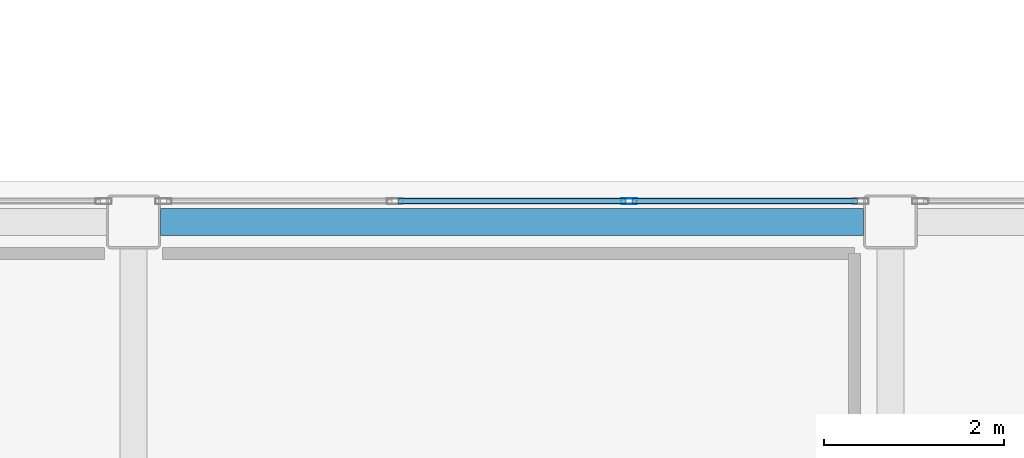
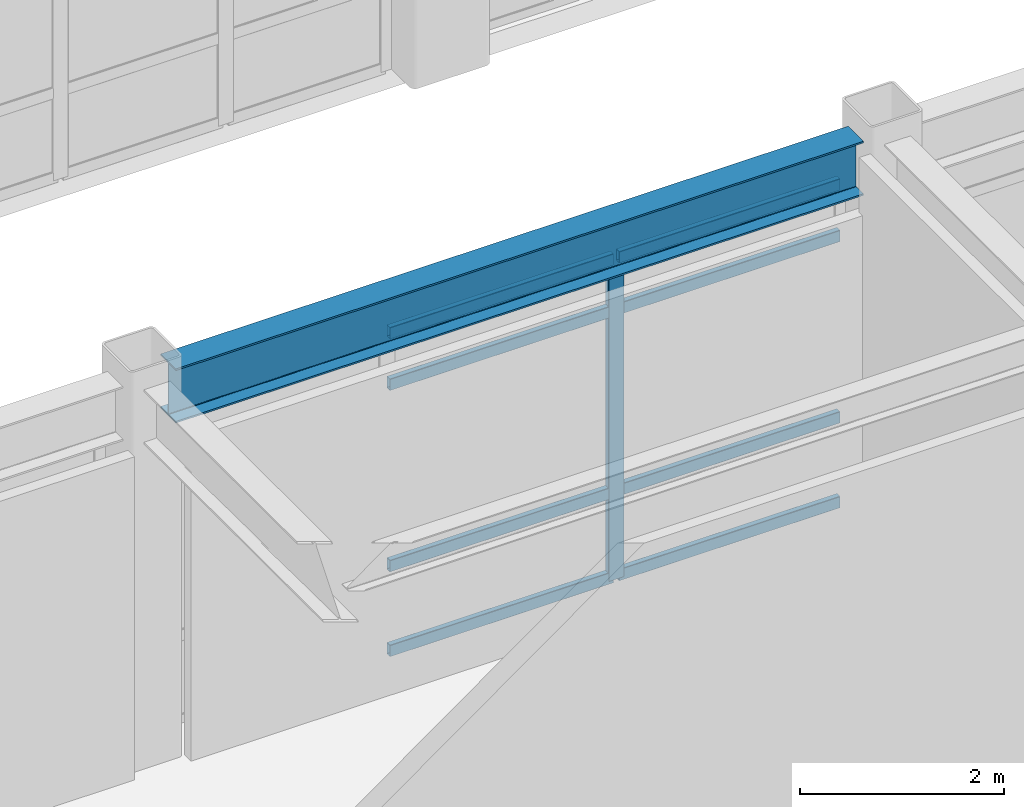
# One storey, part 32 of 172: 9 members, 1 beam, 1 element without a shape of its own.
"""IFC4 building model written with IfcOpenShell, lengths in metres."""

from ifc_helpers import new_model, si_unit, direction, frame, origin, origin_2d, place, context, subcontext, project, spatial, hollow_rectangle, i_section, extrude, material, layer, layer_set, material_profile, profile_set, type_object, element, aggregate, save


model = new_model("IFC4")

# Units and contexts
model_context = context("Model", 3, precision=1e-05, world=origin(), true_north=direction((0.0, 1.0)))
body_context = subcontext(model_context, "Body", "Model", "MODEL_VIEW")
ifc_project = project(units=[si_unit("LENGTHUNIT", "METRE"), si_unit("AREAUNIT", "SQUARE_METRE"), si_unit("VOLUMEUNIT", "CUBIC_METRE"), si_unit("PLANEANGLEUNIT", "RADIAN"), si_unit("MASSUNIT", "GRAM", prefix="KILO")], contexts=[model_context])

# Site, building, storey
site_placement = place(None, origin())
site = spatial("IfcSite", under=ifc_project, at=site_placement, CompositionType="ELEMENT")
building_placement = place(site_placement, origin())
building = spatial("IfcBuilding", under=site, at=building_placement, Name="Kazehara Bluff Congress Hotel", CompositionType="ELEMENT")
storey_placement = place(building_placement, frame((0.0, 0.0, 5.39990234375)))
storey = spatial("IfcBuildingStorey", under=building, at=storey_placement, Name="L01", CompositionType="ELEMENT", Elevation=5.39990234375)

# Curtain wall, members
ifc_material_1 = material(Name="Anodised aluminium", Category="aluminium")
ifc_layer = layer(ifc_material_1, 0.159912109375)
ifc_layer_set = layer_set([ifc_layer], Name="Anodised aluminium")
curtain_wall_type = type_object("IfcCurtainWallType", Name="TP-CW-29", PredefinedType="NOTDEFINED", material=ifc_layer_set)
curtain_wall_placement = place(storey_placement, origin())
curtain_wall = element("IfcCurtainWall", 1, at=curtain_wall_placement, inside=storey, type_object=curtain_wall_type, Name="L01 curtain wall CW-29 CW-ENC-V2-L01-4620-3978", PredefinedType="NOTDEFINED")
ifc_material_2 = material(Name="Anodised aluminium", Category="aluminium")
ifc_material_profile_1 = material_profile(ifc_material_2, hollow_rectangle(XDim=0.06494140625, YDim=0.179931640625, WallThickness=0.00390625, InnerFilletRadius=0.00390625, OuterFilletRadius=0.008056640625, at=origin_2d()))
ifc_profile_set_1 = profile_set([ifc_material_profile_1], Name="Anodised aluminium")
member_type_1 = type_object("IfcMemberType", Name="TP-CWM-02", PredefinedType="MULLION", material=ifc_profile_set_1)
member_1_placement = place(storey_placement, frame((47.5, 39.780029296875, 0.0), z_axis=(0.0, 0.0, 1.0), x_axis=(0.0, 1.0, 0.0)))
member_1 = element("IfcMember", 2, at=member_1_placement, type_object=member_type_1, Name="CW-29 mullion 3", PredefinedType="MULLION", context=body_context, shape_type="SweptSolid", body=[
    extrude(hollow_rectangle(XDim=0.06494140625, YDim=0.179931640625, WallThickness=0.00390625, InnerFilletRadius=0.00390625, OuterFilletRadius=0.008056640625, at=origin_2d()), origin(), (0.0, 0.0, 1.0), 3.875),
])
ifc_material_3 = material(Name="Anodised aluminium", Category="aluminium")
ifc_material_profile_2 = material_profile(ifc_material_3, hollow_rectangle(XDim=0.06494140625, YDim=0.139892578125, WallThickness=0.00390625, InnerFilletRadius=0.00390625, OuterFilletRadius=0.008056640625, at=origin_2d()))
ifc_profile_set_2 = profile_set([ifc_material_profile_2], Name="Anodised aluminium")
member_type_2 = type_object("IfcMemberType", Name="TP-CWT-02", PredefinedType="USERDEFINED", material=ifc_profile_set_2)
member_2_placement = place(storey_placement, frame((44.9326171875, 39.780029296875, 0.03271484375), z_axis=(1.0, 0.0, 0.0), x_axis=(0.0, 1.0, 0.0)))
member_2 = element("IfcMember", 3, at=member_2_placement, type_object=member_type_2, Name="CW-29 transom 2.1", ObjectType="TRANSOM", PredefinedType="USERDEFINED", context=body_context, shape_type="SweptSolid", body=[
    extrude(hollow_rectangle(XDim=0.06494140625, YDim=0.139892578125, WallThickness=0.00390625, InnerFilletRadius=0.00390625, OuterFilletRadius=0.008056640625, at=origin_2d()), origin(), (0.0, 0.0, 1.0), 2.534912109375),
])
member_3_placement = place(storey_placement, frame((44.9326171875, 39.780029296875, 1.050048828125), z_axis=(1.0, 0.0, 0.0), x_axis=(0.0, 1.0, 0.0)))
member_3 = element("IfcMember", 4, at=member_3_placement, type_object=member_type_2, Name="CW-29 transom 2.2", ObjectType="TRANSOM", PredefinedType="USERDEFINED", context=body_context, shape_type="SweptSolid", body=[
    extrude(hollow_rectangle(XDim=0.06494140625, YDim=0.139892578125, WallThickness=0.00390625, InnerFilletRadius=0.00390625, OuterFilletRadius=0.008056640625, at=origin_2d()), origin(), (0.0, 0.0, 1.0), 2.534912109375),
])
member_4_placement = place(storey_placement, frame((44.9326171875, 39.780029296875, 3.22509765625), z_axis=(1.0, 0.0, 0.0), x_axis=(0.0, 1.0, 0.0)))
member_4 = element("IfcMember", 5, at=member_4_placement, type_object=member_type_2, Name="CW-29 transom 2.3", ObjectType="TRANSOM", PredefinedType="USERDEFINED", context=body_context, shape_type="SweptSolid", body=[
    extrude(hollow_rectangle(XDim=0.06494140625, YDim=0.139892578125, WallThickness=0.00390625, InnerFilletRadius=0.00390625, OuterFilletRadius=0.008056640625, at=origin_2d()), origin(), (0.0, 0.0, 1.0), 2.534912109375),
])
member_5_placement = place(storey_placement, frame((44.9326171875, 39.780029296875, 3.842529296875), z_axis=(1.0, 0.0, 0.0), x_axis=(0.0, 1.0, 0.0)))
member_5 = element("IfcMember", 6, at=member_5_placement, type_object=member_type_2, Name="CW-29 transom 2.4", ObjectType="TRANSOM", PredefinedType="USERDEFINED", context=body_context, shape_type="SweptSolid", body=[
    extrude(hollow_rectangle(XDim=0.06494140625, YDim=0.139892578125, WallThickness=0.00390625, InnerFilletRadius=0.00390625, OuterFilletRadius=0.008056640625, at=origin_2d()), origin(), (0.0, 0.0, 1.0), 2.534912109375),
])
member_6_placement = place(storey_placement, frame((47.532470703125, 39.780029296875, 0.03271484375), z_axis=(1.0, 0.0, 0.0), x_axis=(0.0, 1.0, 0.0)))
member_6 = element("IfcMember", 7, at=member_6_placement, type_object=member_type_2, Name="CW-29 transom 3.1", ObjectType="TRANSOM", PredefinedType="USERDEFINED", context=body_context, shape_type="SweptSolid", body=[
    extrude(hollow_rectangle(XDim=0.06494140625, YDim=0.139892578125, WallThickness=0.00390625, InnerFilletRadius=0.00390625, OuterFilletRadius=0.008056640625, at=origin_2d()), origin(), (0.0, 0.0, 1.0), 2.50244140625),
])
member_7_placement = place(storey_placement, frame((47.532470703125, 39.780029296875, 1.050048828125), z_axis=(1.0, 0.0, 0.0), x_axis=(0.0, 1.0, 0.0)))
member_7 = element("IfcMember", 8, at=member_7_placement, type_object=member_type_2, Name="CW-29 transom 3.2", ObjectType="TRANSOM", PredefinedType="USERDEFINED", context=body_context, shape_type="SweptSolid", body=[
    extrude(hollow_rectangle(XDim=0.06494140625, YDim=0.139892578125, WallThickness=0.00390625, InnerFilletRadius=0.00390625, OuterFilletRadius=0.008056640625, at=origin_2d()), origin(), (0.0, 0.0, 1.0), 2.50244140625),
])
member_8_placement = place(storey_placement, frame((47.532470703125, 39.780029296875, 3.22509765625), z_axis=(1.0, 0.0, 0.0), x_axis=(0.0, 1.0, 0.0)))
member_8 = element("IfcMember", 9, at=member_8_placement, type_object=member_type_2, Name="CW-29 transom 3.3", ObjectType="TRANSOM", PredefinedType="USERDEFINED", context=body_context, shape_type="SweptSolid", body=[
    extrude(hollow_rectangle(XDim=0.06494140625, YDim=0.139892578125, WallThickness=0.00390625, InnerFilletRadius=0.00390625, OuterFilletRadius=0.008056640625, at=origin_2d()), origin(), (0.0, 0.0, 1.0), 2.50244140625),
])
member_9_placement = place(storey_placement, frame((47.532470703125, 39.780029296875, 3.842529296875), z_axis=(1.0, 0.0, 0.0), x_axis=(0.0, 1.0, 0.0)))
member_9 = element("IfcMember", 10, at=member_9_placement, type_object=member_type_2, Name="CW-29 transom 3.4", ObjectType="TRANSOM", PredefinedType="USERDEFINED", context=body_context, shape_type="SweptSolid", body=[
    extrude(hollow_rectangle(XDim=0.06494140625, YDim=0.139892578125, WallThickness=0.00390625, InnerFilletRadius=0.00390625, OuterFilletRadius=0.008056640625, at=origin_2d()), origin(), (0.0, 0.0, 1.0), 2.50244140625),
])
aggregate(curtain_wall, [member_1, member_2, member_3, member_4, member_5, member_6, member_7, member_8, member_9])

# Beam
ifc_material_4 = material(Name="Steel SN490B", Category="steel")
ifc_material_profile_3 = material_profile(ifc_material_4, i_section(OverallWidth=0.300048828125, OverallDepth=0.64990234375, WebThickness=0.011962890625, FlangeThickness=0.02001953125, FilletRadius=0.012939453125, at=origin_2d()))
ifc_profile_set_3 = profile_set([ifc_material_profile_3], Name="Steel SN490B")
beam_type = type_object("IfcBeamType", Name="TP-G-03", PredefinedType="BEAM", material=ifc_profile_set_3)
beam_placement = place(storey_placement, frame((42.300048828125, 39.550048828125, 4.22509765625), z_axis=(1.0, 0.0, 0.0), x_axis=(0.0, 1.0, 0.0)))
element("IfcBeam", 11, at=beam_placement, inside=storey, type_object=beam_type, Name="L01 girder G-03 97", PredefinedType="BEAM", context=body_context, shape_type="SweptSolid", body=[
    extrude(i_section(OverallWidth=0.300048828125, OverallDepth=0.64990234375, WebThickness=0.011962890625, FlangeThickness=0.02001953125, FilletRadius=0.012939453125, at=origin_2d()), origin(), (0.0, 0.0, 1.0), 7.800048828125),
])

save(model, "model.ifc")
